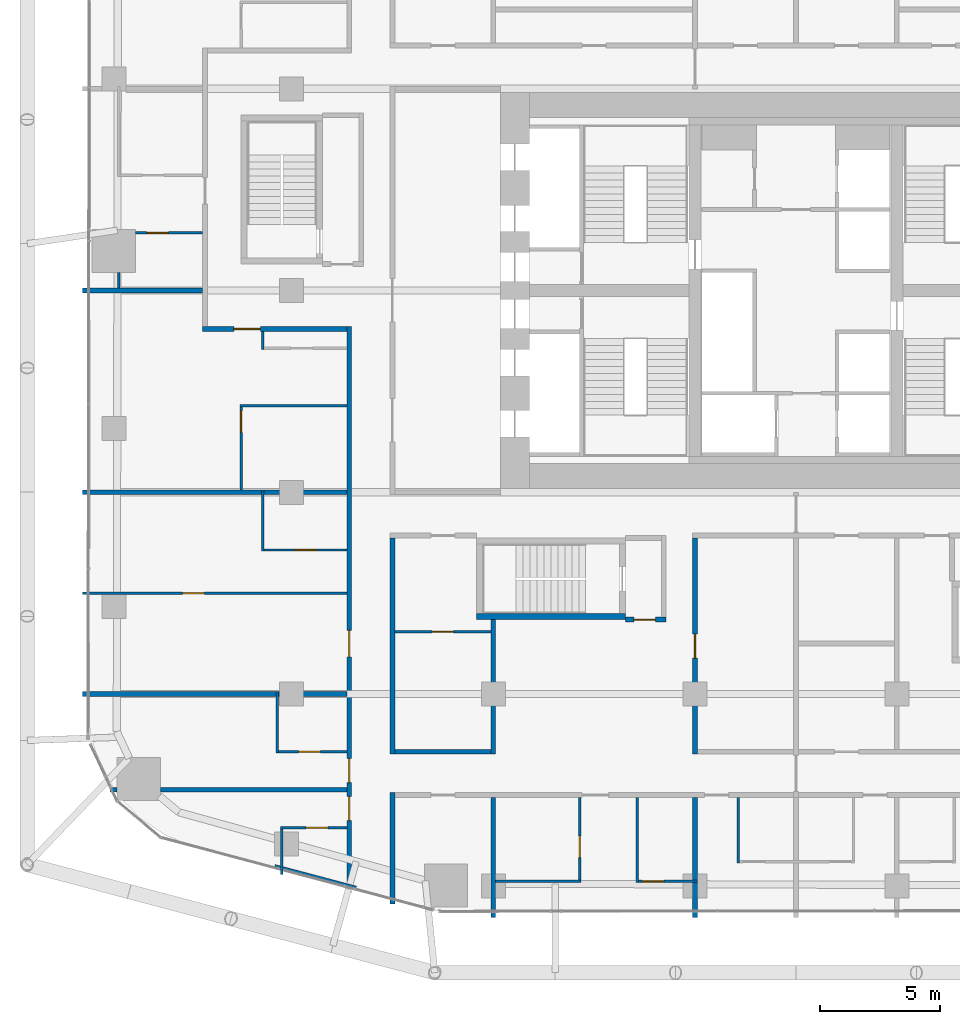
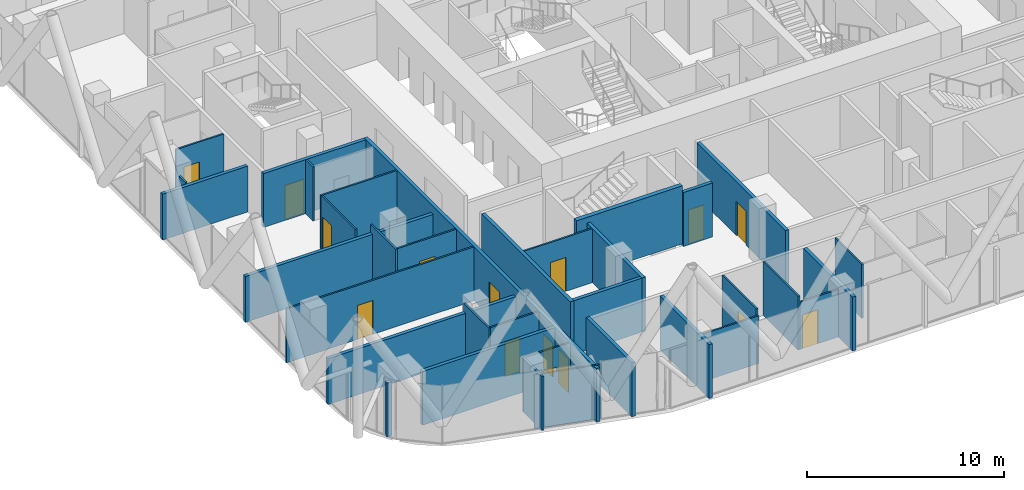
# One storey, part 28 of 38: 35 walls, 15 doors, 15 openings.
"""IFC4 building model written with IfcOpenShell, lengths in metres."""

from ifc_helpers import new_model, si_unit, direction, frame, frame_2d, origin, place, context, subcontext, project, spatial, rectangle, extrude, material, layer, layer_set, type_object, element, fill, save


model = new_model("IFC4")

# Units and contexts
model_context = context("Model", 3, precision=1e-05, world=origin(), true_north=direction((0.0, 1.0)))
body_context = subcontext(model_context, "Body", "Model", "MODEL_VIEW")
ifc_project = project(units=[si_unit("LENGTHUNIT", "METRE"), si_unit("AREAUNIT", "SQUARE_METRE"), si_unit("VOLUMEUNIT", "CUBIC_METRE"), si_unit("PLANEANGLEUNIT", "RADIAN"), si_unit("MASSUNIT", "GRAM", prefix="KILO")], contexts=[model_context])

# Site, building, storey
site_placement = place(None, origin())
site = spatial("IfcSite", under=ifc_project, at=site_placement, CompositionType="ELEMENT")
building_placement = place(site_placement, origin())
building = spatial("IfcBuilding", under=site, at=building_placement, Name="Marenta Gate Hotel Tower", CompositionType="ELEMENT")
storey_placement = place(building_placement, frame((0.0, 0.0, 68.89990234375)))
storey = spatial("IfcBuildingStorey", under=building, at=storey_placement, Name="L15", CompositionType="ELEMENT", Elevation=68.89990234375)

# Walls
ifc_material_1 = material(Name="Concrete C40", Category="concrete")
ifc_layer_1 = layer(ifc_material_1, 0.25)
ifc_layer_set_1 = layer_set([ifc_layer_1], Name="Concrete C40")
wall_type_1 = type_object("IfcWallType", Name="Remote stair enclosure wall 250 REI 180", PredefinedType="SHEAR", material=ifc_layer_set_1)
wall_1_placement = place(storey_placement, frame((-13.300048828125, -5.175048828125, 0.10009765625), z_axis=(0.0, 0.0, 1.0), x_axis=(1.0, 0.0, 0.0)))
element("IfcWall", 1, at=wall_1_placement, inside=storey, type_object=wall_type_1, Name="L15-RS-Z1-2-W1", PredefinedType="SHEAR", context=body_context, shape_type="SweptSolid", body=[
    extrude(rectangle(XDim=6.199951171875, YDim=0.25, at=frame_2d((3.10009765625, 0.0))), origin(), (0.0, 0.0, 1.0), 3.60009765625),
])
ifc_material_2 = material(Name="Gypsum board on steel stud", Category="steel")
ifc_layer_2 = layer(ifc_material_2, 0.199951171875)
ifc_layer_set_2 = layer_set([ifc_layer_2], Name="Gypsum board on steel stud")
wall_type_2 = type_object("IfcWallType", Name="Room corridor wall 200 EI 60", PredefinedType="PARTITIONING", material=ifc_layer_set_2)
wall_2_placement = place(storey_placement, frame((-16.699951171875, -10.800048828125, 0.0), z_axis=(0.0, 0.0, 1.0), x_axis=(1.0, 0.0, 0.0)))
element("IfcWall", 2, at=wall_2_placement, inside=storey, type_object=wall_type_2, Name="L15-PTN-W040", PredefinedType="PARTITIONING", context=body_context, shape_type="SweptSolid", body=[
    extrude(rectangle(XDim=4.0, YDim=0.199951171875, at=frame_2d((2.0, 0.0))), origin(), (0.0, 0.0, 1.0), 3.340087890625),
])

# Wall, opening, door
wall_3_placement = place(storey_placement, frame((-4.199951171875, -10.89990234375, 0.0), z_axis=(0.0, 0.0, 1.0), x_axis=(0.0, 1.0, 0.0)))
wall_3 = element("IfcWall", 3, at=wall_3_placement, inside=storey, type_object=wall_type_2, Name="L15-PTN-W083", PredefinedType="PARTITIONING", context=body_context, shape_type="SweptSolid", body=[
    extrude(rectangle(XDim=9.0, YDim=0.199951171875, at=frame_2d((4.5, 0.0))), origin(), (0.0, 0.0, 1.0), 3.340087890625),
])
opening_1_placement = place(wall_3_placement, frame((4.0, 0.0, 0.0)))
opening_1 = element("IfcOpeningElement", 4, at=opening_1_placement, cuts=wall_3, Name="Opening G05-78", PredefinedType="OPENING", context=body_context, shape_type="SweptSolid", body=[
    extrude(rectangle(XDim=1.0, YDim=2.10009765625, at=frame_2d((0.5, 1.050048828125))), frame((0.0, 0.10009765625, 0.0), z_axis=(0.0, -1.0, 0.0), x_axis=(1.0, 0.0, 0.0)), (0.0, 0.0, 1.0), 0.199951171875),
])
ifc_material_3 = material(Name="Timber door leaf", Category="wood")
door_type_1 = type_object("IfcDoorType", Name="Room amenity door 1000x2100 EI 30", OperationType="NOTDEFINED", PredefinedType="DOOR", material=ifc_material_3)
door_1_placement = place(opening_1_placement, origin())
door_1 = element("IfcDoor", 5, at=door_1_placement, inside=storey, type_object=door_type_1, Name="L15-PD-D078", OperationType="SINGLE_SWING_LEFT", OverallHeight=2.10009765625, OverallWidth=1.0, PredefinedType="DOOR", context=body_context, shape_type="SweptSolid", body=[
    extrude(rectangle(XDim=1.0, YDim=2.10009765625, at=frame_2d((0.5, 1.050048828125))), frame((0.0, 0.02490234375, 0.0), z_axis=(0.0, -1.0, 0.0), x_axis=(1.0, 0.0, 0.0)), (0.0, 0.0, 1.0), 0.050048828125),
])
fill(opening_1, door_1)

wall_4_placement = place(storey_placement, frame((-24.699951171875, 6.800048828125, 0.0), z_axis=(0.0, 0.0, 1.0), x_axis=(1.0, 0.0, 0.0)))
wall_4 = element("IfcWall", 6, at=wall_4_placement, inside=storey, type_object=wall_type_2, Name="L15-PTN-W089", PredefinedType="PARTITIONING", context=body_context, shape_type="SweptSolid", body=[
    extrude(rectangle(XDim=6.0, YDim=0.199951171875, at=frame_2d((3.0, 0.0))), origin(), (0.0, 0.0, 1.0), 3.340087890625),
])
opening_2_placement = place(wall_4_placement, frame((1.300048828125, 0.0, 0.0)))
opening_2 = element("IfcOpeningElement", 7, at=opening_2_placement, cuts=wall_4, Name="Opening G05-54", PredefinedType="OPENING", context=body_context, shape_type="SweptSolid", body=[
    extrude(rectangle(XDim=1.10009765625, YDim=2.10009765625, at=frame_2d((0.550048828125, 1.050048828125))), frame((0.0, 0.10009765625, 0.0), z_axis=(0.0, -1.0, 0.0), x_axis=(1.0, 0.0, 0.0)), (0.0, 0.0, 1.0), 0.199951171875),
])
ifc_material_4 = material(Name="Timber door leaf", Category="wood")
door_type_2 = type_object("IfcDoorType", Name="Guest room door 1100x2100 EI 30", OperationType="NOTDEFINED", PredefinedType="DOOR", material=ifc_material_4)
door_2_placement = place(opening_2_placement, origin())
door_2 = element("IfcDoor", 8, at=door_2_placement, inside=storey, type_object=door_type_2, Name="L15-PD-D054", OperationType="SINGLE_SWING_LEFT", OverallHeight=2.10009765625, OverallWidth=1.10009765625, PredefinedType="DOOR", context=body_context, shape_type="SweptSolid", body=[
    extrude(rectangle(XDim=1.10009765625, YDim=2.10009765625, at=frame_2d((0.550048828125, 1.050048828125))), frame((0.0, 0.02490234375, 0.0), z_axis=(0.0, -1.0, 0.0), x_axis=(1.0, 0.0, 0.0)), (0.0, 0.0, 1.0), 0.050048828125),
])
fill(opening_2, door_2)

# Walls
wall_5_placement = place(storey_placement, frame((-12.60009765625, -10.89990234375, 0.0), z_axis=(0.0, 0.0, 1.0), x_axis=(0.0, 1.0, 0.0)))
element("IfcWall", 9, at=wall_5_placement, inside=storey, type_object=wall_type_2, Name="L15-PTN-W100", PredefinedType="PARTITIONING", context=body_context, shape_type="SweptSolid", body=[
    extrude(rectangle(XDim=5.599853515625, YDim=0.199951171875, at=frame_2d((2.7998046875, 0.0))), origin(), (0.0, 0.0, 1.0), 3.340087890625),
])
wall_6_placement = place(storey_placement, frame((-16.800048828125, -17.14306640625, 0.0), z_axis=(0.0, 0.0, 1.0), x_axis=(0.0, 1.0, 0.0)))
element("IfcWall", 10, at=wall_6_placement, inside=storey, type_object=wall_type_2, Name="L15-PTN-W106", PredefinedType="PARTITIONING", context=body_context, shape_type="SweptSolid", body=[
    extrude(rectangle(XDim=4.64306640625, YDim=0.199951171875, at=frame_2d((2.321533203125, 0.0))), origin(), (0.0, 0.0, 1.0), 3.340087890625),
])
wall_7_placement = place(storey_placement, frame((-16.800048828125, -10.89990234375, 0.0), z_axis=(0.0, 0.0, 1.0), x_axis=(0.0, 1.0, 0.0)))
element("IfcWall", 11, at=wall_7_placement, inside=storey, type_object=wall_type_2, Name="L15-PTN-W107", PredefinedType="PARTITIONING", context=body_context, shape_type="SweptSolid", body=[
    extrude(rectangle(XDim=9.0, YDim=0.199951171875, at=frame_2d((4.5, 0.0))), origin(), (0.0, 0.0, 1.0), 3.340087890625),
])

# Wall, openings, doors
wall_8_placement = place(storey_placement, frame((-18.60009765625, -16.6650390625, 0.0), z_axis=(0.0, 0.0, 1.0), x_axis=(0.0, 1.0, 0.0)))
wall_8 = element("IfcWall", 12, at=wall_8_placement, inside=storey, type_object=wall_type_2, Name="L15-PTN-W115", PredefinedType="PARTITIONING", context=body_context, shape_type="SweptSolid", body=[
    extrude(rectangle(XDim=23.56494140625, YDim=0.199951171875, at=frame_2d((11.782470703125, 0.0))), origin(), (0.0, 0.0, 1.0), 3.340087890625),
])
opening_3_placement = place(wall_8_placement, frame((2.990966796875, 0.0, 0.0)))
opening_3 = element("IfcOpeningElement", 13, at=opening_3_placement, cuts=wall_8, Name="Opening G05-47", PredefinedType="OPENING", context=body_context, shape_type="SweptSolid", body=[
    extrude(rectangle(XDim=1.0, YDim=2.10009765625, at=frame_2d((0.5, 1.050048828125))), frame((0.0, 0.10009765625, 0.0), z_axis=(0.0, -1.0, 0.0), x_axis=(1.0, 0.0, 0.0)), (0.0, 0.0, 1.0), 0.199951171875),
])
opening_4_placement = place(wall_8_placement, frame((4.573974609375, 0.0, 0.0)))
opening_4 = element("IfcOpeningElement", 14, at=opening_4_placement, cuts=wall_8, Name="Opening G05-49", PredefinedType="OPENING", context=body_context, shape_type="SweptSolid", body=[
    extrude(rectangle(XDim=1.0, YDim=2.10009765625, at=frame_2d((0.5, 1.050048828125))), frame((0.0, 0.10009765625, 0.0), z_axis=(0.0, -1.0, 0.0), x_axis=(1.0, 0.0, 0.0)), (0.0, 0.0, 1.0), 0.199951171875),
])
opening_5_placement = place(wall_8_placement, frame((9.81494140625, 0.0, 0.0)))
opening_5 = element("IfcOpeningElement", 15, at=opening_5_placement, cuts=wall_8, Name="Opening G05-51", PredefinedType="OPENING", context=body_context, shape_type="SweptSolid", body=[
    extrude(rectangle(XDim=1.10009765625, YDim=2.10009765625, at=frame_2d((0.550048828125, 1.050048828125))), frame((0.0, 0.10009765625, 0.0), z_axis=(0.0, -1.0, 0.0), x_axis=(1.0, 0.0, 0.0)), (0.0, 0.0, 1.0), 0.199951171875),
])
ifc_material_5 = material(Name="Timber door leaf", Category="wood")
door_type_3 = type_object("IfcDoorType", Name="Guest room door 1000x2100 EI 30", OperationType="NOTDEFINED", PredefinedType="DOOR", material=ifc_material_5)
door_3_placement = place(opening_3_placement, origin())
door_3 = element("IfcDoor", 16, at=door_3_placement, inside=storey, type_object=door_type_3, Name="L15-PD-D047", OperationType="SINGLE_SWING_RIGHT", OverallHeight=2.10009765625, OverallWidth=1.0, PredefinedType="DOOR", context=body_context, shape_type="SweptSolid", body=[
    extrude(rectangle(XDim=1.0, YDim=2.10009765625, at=frame_2d((0.5, 1.050048828125))), frame((0.0, 0.02490234375, 0.0), z_axis=(0.0, -1.0, 0.0), x_axis=(1.0, 0.0, 0.0)), (0.0, 0.0, 1.0), 0.050048828125),
])
fill(opening_3, door_3)
door_4_placement = place(opening_4_placement, origin())
door_4 = element("IfcDoor", 17, at=door_4_placement, inside=storey, type_object=door_type_3, Name="L15-PD-D049", OperationType="SINGLE_SWING_RIGHT", OverallHeight=2.10009765625, OverallWidth=1.0, PredefinedType="DOOR", context=body_context, shape_type="SweptSolid", body=[
    extrude(rectangle(XDim=1.0, YDim=2.10009765625, at=frame_2d((0.5, 1.050048828125))), frame((0.0, 0.02490234375, 0.0), z_axis=(0.0, -1.0, 0.0), x_axis=(1.0, 0.0, 0.0)), (0.0, 0.0, 1.0), 0.050048828125),
])
fill(opening_4, door_4)
door_5_placement = place(opening_5_placement, origin())
door_5 = element("IfcDoor", 18, at=door_5_placement, inside=storey, type_object=door_type_2, Name="L15-PD-D051", OperationType="SINGLE_SWING_RIGHT", OverallHeight=2.10009765625, OverallWidth=1.10009765625, PredefinedType="DOOR", context=body_context, shape_type="SweptSolid", body=[
    extrude(rectangle(XDim=1.10009765625, YDim=2.10009765625, at=frame_2d((0.550048828125, 1.050048828125))), frame((0.0, 0.02490234375, 0.0), z_axis=(0.0, -1.0, 0.0), x_axis=(1.0, 0.0, 0.0)), (0.0, 0.0, 1.0), 0.050048828125),
])
fill(opening_5, door_5)

# Wall, opening, door
ifc_material_6 = material(Name="Concrete blockwork", Category="masonry")
ifc_layer_3 = layer(ifc_material_6, 0.199951171875)
ifc_layer_set_3 = layer_set([ifc_layer_3], Name="Concrete blockwork")
wall_type_3 = type_object("IfcWallType", Name="Room corridor wall 200 REI 180", PredefinedType="PARTITIONING", material=ifc_layer_set_3)
wall_9_placement = place(storey_placement, frame((-7.10009765625, -5.300048828125, 0.0), z_axis=(0.0, 0.0, 1.0), x_axis=(1.0, 0.0, 0.0)))
wall_9 = element("IfcWall", 19, at=wall_9_placement, inside=storey, type_object=wall_type_3, Name="L15-PTN-W055", PredefinedType="PARTITIONING", context=body_context, shape_type="SweptSolid", body=[
    extrude(rectangle(XDim=1.7001953125, YDim=0.199951171875, at=frame_2d((0.85009765625, 0.0))), origin(), (0.0, 0.0, 1.0), 3.340087890625),
])
opening_6_placement = place(wall_9_placement, frame((0.35009765625, 0.0, 0.0)))
opening_6 = element("IfcOpeningElement", 20, at=opening_6_placement, cuts=wall_9, Name="Opening G05-67", PredefinedType="OPENING", context=body_context, shape_type="SweptSolid", body=[
    extrude(rectangle(XDim=0.89990234375, YDim=2.10009765625, at=frame_2d((0.449951171875, 1.050048828125))), frame((0.0, 0.10009765625, 0.0), z_axis=(0.0, -1.0, 0.0), x_axis=(1.0, 0.0, 0.0)), (0.0, 0.0, 1.0), 0.199951171875),
])
ifc_material_7 = material(Name="Hollow steel door set", Category="steel")
door_type_4 = type_object("IfcDoorType", Name="Stair vestibule door 900x2100 EI 60", OperationType="NOTDEFINED", PredefinedType="DOOR", material=ifc_material_7)
door_6_placement = place(opening_6_placement, origin())
door_6 = element("IfcDoor", 21, at=door_6_placement, inside=storey, type_object=door_type_4, Name="L15-PD-D067", OperationType="SINGLE_SWING_RIGHT", OverallHeight=2.10009765625, OverallWidth=0.89990234375, PredefinedType="DOOR", context=body_context, shape_type="SweptSolid", body=[
    extrude(rectangle(XDim=0.89990234375, YDim=2.10009765625, at=frame_2d((0.449951171875, 1.050048828125))), frame((0.0, 0.02490234375, 0.0), z_axis=(0.0, -1.0, 0.0), x_axis=(1.0, 0.0, 0.0)), (0.0, 0.0, 1.0), 0.050048828125),
])
fill(opening_6, door_6)

# Walls
ifc_material_8 = material(Name="Gypsum board on steel stud", Category="steel")
ifc_layer_4 = layer(ifc_material_8, 0.10009765625)
ifc_layer_set_4 = layer_set([ifc_layer_4], Name="Gypsum board on steel stud")
wall_type_4 = type_object("IfcWallType", Name="Room partition 100", PredefinedType="PARTITIONING", material=ifc_layer_set_4)
wall_10_placement = place(storey_placement, frame((-21.68994140625, -15.544921875, 0.0), z_axis=(0.0, 0.0, 1.0), x_axis=(0.966542484633, -0.25650657964, 0.0)))
element("IfcWall", 22, at=wall_10_placement, inside=storey, type_object=wall_type_4, Name="L15-PTN-W012", PredefinedType="PARTITIONING", context=body_context, shape_type="SweptSolid", body=[
    extrude(rectangle(XDim=3.496826171875, YDim=0.10009765625, at=frame_2d((1.74853515625, 0.0))), origin(), (0.0, 0.0, 1.0), 3.340087890625),
])
wall_11_placement = place(storey_placement, frame((-12.5, -16.199951171875, 0.0), z_axis=(0.0, 0.0, 1.0), x_axis=(1.0, 0.0, 0.0)))
element("IfcWall", 23, at=wall_11_placement, inside=storey, type_object=wall_type_4, Name="L15-PTN-W019", PredefinedType="PARTITIONING", context=body_context, shape_type="SweptSolid", body=[
    extrude(rectangle(XDim=3.550048828125, YDim=0.10009765625, at=frame_2d((1.77490234375, 0.0))), origin(), (0.0, 0.0, 1.0), 2.940185546875),
])

# Wall, opening, door
wall_12_placement = place(storey_placement, frame((-6.550048828125, -16.199951171875, 0.0), z_axis=(0.0, 0.0, 1.0), x_axis=(1.0, 0.0, 0.0)))
wall_12 = element("IfcWall", 24, at=wall_12_placement, inside=storey, type_object=wall_type_4, Name="L15-PTN-W020", PredefinedType="PARTITIONING", context=body_context, shape_type="SweptSolid", body=[
    extrude(rectangle(XDim=2.449951171875, YDim=0.10009765625, at=frame_2d((1.22509765625, 0.0))), origin(), (0.0, 0.0, 1.0), 2.940185546875),
])
opening_7_placement = place(wall_12_placement, frame((0.14990234375, 0.0, 0.0)))
opening_7 = element("IfcOpeningElement", 25, at=opening_7_placement, cuts=wall_12, Name="Opening G05-38", PredefinedType="OPENING", context=body_context, shape_type="SweptSolid", body=[
    extrude(rectangle(XDim=0.89990234375, YDim=2.10009765625, at=frame_2d((0.449951171875, 1.050048828125))), frame((0.0, 0.050048828125, 0.0), z_axis=(0.0, -1.0, 0.0), x_axis=(1.0, 0.0, 0.0)), (0.0, 0.0, 1.0), 0.10009765625),
])
ifc_material_9 = material(Name="Timber door leaf", Category="wood")
door_type_5 = type_object("IfcDoorType", Name="Room inner door 900x2100", OperationType="NOTDEFINED", PredefinedType="DOOR", material=ifc_material_9)
door_7_placement = place(opening_7_placement, origin())
door_7 = element("IfcDoor", 26, at=door_7_placement, inside=storey, type_object=door_type_5, Name="L15-PD-D038", OperationType="SINGLE_SWING_LEFT", OverallHeight=2.10009765625, OverallWidth=0.89990234375, PredefinedType="DOOR", context=body_context, shape_type="SweptSolid", body=[
    extrude(rectangle(XDim=0.89990234375, YDim=2.10009765625, at=frame_2d((0.449951171875, 1.050048828125))), frame((0.0, 0.02490234375, 0.0), z_axis=(0.0, -1.0, 0.0), x_axis=(1.0, 0.0, 0.0)), (0.0, 0.0, 1.0), 0.050048828125),
])
fill(opening_7, door_7)

wall_13_placement = place(storey_placement, frame((-21.449951171875, -13.965087890625, 0.0), z_axis=(0.0, 0.0, 1.0), x_axis=(1.0, 0.0, 0.0)))
wall_13 = element("IfcWall", 27, at=wall_13_placement, inside=storey, type_object=wall_type_4, Name="L15-PTN-W029", PredefinedType="PARTITIONING", context=body_context, shape_type="SweptSolid", body=[
    extrude(rectangle(XDim=2.75, YDim=0.10009765625, at=frame_2d((1.375, 0.0))), origin(), (0.0, 0.0, 1.0), 3.340087890625),
])
opening_8_placement = place(wall_13_placement, frame((1.06005859375, 0.0, 0.0)))
opening_8 = element("IfcOpeningElement", 28, at=opening_8_placement, cuts=wall_13, Name="Opening G05-48", PredefinedType="OPENING", context=body_context, shape_type="SweptSolid", body=[
    extrude(rectangle(XDim=0.89990234375, YDim=2.10009765625, at=frame_2d((0.449951171875, 1.050048828125))), frame((0.0, 0.050048828125, 0.0), z_axis=(0.0, -1.0, 0.0), x_axis=(1.0, 0.0, 0.0)), (0.0, 0.0, 1.0), 0.10009765625),
])
ifc_material_10 = material(Name="Timber door leaf", Category="wood")
door_type_6 = type_object("IfcDoorType", Name="Guest bathroom door 900x2100", OperationType="NOTDEFINED", PredefinedType="DOOR", material=ifc_material_10)
door_8_placement = place(opening_8_placement, origin())
door_8 = element("IfcDoor", 29, at=door_8_placement, inside=storey, type_object=door_type_6, Name="L15-PD-D048", OperationType="SINGLE_SWING_RIGHT", OverallHeight=2.10009765625, OverallWidth=0.89990234375, PredefinedType="DOOR", context=body_context, shape_type="SweptSolid", body=[
    extrude(rectangle(XDim=0.89990234375, YDim=2.10009765625, at=frame_2d((0.449951171875, 1.050048828125))), frame((0.0, 0.02490234375, 0.0), z_axis=(0.0, -1.0, 0.0), x_axis=(1.0, 0.0, 0.0)), (0.0, 0.0, 1.0), 0.050048828125),
])
fill(opening_8, door_8)

wall_14_placement = place(storey_placement, frame((-21.550048828125, -10.800048828125, 0.0), z_axis=(0.0, 0.0, 1.0), x_axis=(1.0, 0.0, 0.0)))
wall_14 = element("IfcWall", 30, at=wall_14_placement, inside=storey, type_object=wall_type_4, Name="L15-PTN-W038", PredefinedType="PARTITIONING", context=body_context, shape_type="SweptSolid", body=[
    extrude(rectangle(XDim=2.85009765625, YDim=0.10009765625, at=frame_2d((1.425048828125, 0.0))), origin(), (0.0, 0.0, 1.0), 3.340087890625),
])
opening_9_placement = place(wall_14_placement, frame((0.85009765625, 0.0, 0.0)))
opening_9 = element("IfcOpeningElement", 31, at=opening_9_placement, cuts=wall_14, Name="Opening G05-50", PredefinedType="OPENING", context=body_context, shape_type="SweptSolid", body=[
    extrude(rectangle(XDim=0.89990234375, YDim=2.10009765625, at=frame_2d((0.449951171875, 1.050048828125))), frame((0.0, 0.050048828125, 0.0), z_axis=(0.0, -1.0, 0.0), x_axis=(1.0, 0.0, 0.0)), (0.0, 0.0, 1.0), 0.10009765625),
])
door_9_placement = place(opening_9_placement, origin())
door_9 = element("IfcDoor", 32, at=door_9_placement, inside=storey, type_object=door_type_6, Name="L15-PD-D050", OperationType="SINGLE_SWING_LEFT", OverallHeight=2.10009765625, OverallWidth=0.89990234375, PredefinedType="DOOR", context=body_context, shape_type="SweptSolid", body=[
    extrude(rectangle(XDim=0.89990234375, YDim=2.10009765625, at=frame_2d((0.449951171875, 1.050048828125))), frame((0.0, 0.02490234375, 0.0), z_axis=(0.0, -1.0, 0.0), x_axis=(1.0, 0.0, 0.0)), (0.0, 0.0, 1.0), 0.050048828125),
])
fill(opening_9, door_9)

wall_15_placement = place(storey_placement, frame((-16.699951171875, -5.800048828125, 0.0), z_axis=(0.0, 0.0, 1.0), x_axis=(1.0, 0.0, 0.0)))
wall_15 = element("IfcWall", 33, at=wall_15_placement, inside=storey, type_object=wall_type_4, Name="L15-PTN-W054", PredefinedType="PARTITIONING", context=body_context, shape_type="SweptSolid", body=[
    extrude(rectangle(XDim=4.0, YDim=0.10009765625, at=frame_2d((2.0, 0.0))), origin(), (0.0, 0.0, 1.0), 3.340087890625),
])
opening_10_placement = place(wall_15_placement, frame((1.550048828125, 0.0, 0.0)))
opening_10 = element("IfcOpeningElement", 34, at=opening_10_placement, cuts=wall_15, Name="Opening G05-03", PredefinedType="OPENING", context=body_context, shape_type="SweptSolid", body=[
    extrude(rectangle(XDim=0.89990234375, YDim=2.10009765625, at=frame_2d((0.449951171875, 1.050048828125))), frame((0.0, 0.050048828125, 0.0), z_axis=(0.0, -1.0, 0.0), x_axis=(1.0, 0.0, 0.0)), (0.0, 0.0, 1.0), 0.10009765625),
])
door_10_placement = place(opening_10_placement, origin())
door_10 = element("IfcDoor", 35, at=door_10_placement, inside=storey, type_object=door_type_5, Name="L15-PD-D003", OperationType="SINGLE_SWING_LEFT", OverallHeight=2.10009765625, OverallWidth=0.89990234375, PredefinedType="DOOR", context=body_context, shape_type="SweptSolid", body=[
    extrude(rectangle(XDim=0.89990234375, YDim=2.10009765625, at=frame_2d((0.449951171875, 1.050048828125))), frame((0.0, 0.02490234375, 0.0), z_axis=(0.0, -1.0, 0.0), x_axis=(1.0, 0.0, 0.0)), (0.0, 0.0, 1.0), 0.050048828125),
])
fill(opening_10, door_10)

wall_16_placement = place(storey_placement, frame((-29.699951171875, -4.199951171875, 0.0), z_axis=(0.0, 0.0, 1.0), x_axis=(1.0, 0.0, 0.0)))
wall_16 = element("IfcWall", 36, at=wall_16_placement, inside=storey, type_object=wall_type_4, Name="L15-PTN-W060", PredefinedType="PARTITIONING", context=body_context, shape_type="SweptSolid", body=[
    extrude(rectangle(XDim=11.0, YDim=0.10009765625, at=frame_2d((5.5, 0.0))), origin(), (0.0, 0.0, 1.0), 3.340087890625),
])
opening_11_placement = place(wall_16_placement, frame((4.169921875, 0.0, 0.0)))
opening_11 = element("IfcOpeningElement", 37, at=opening_11_placement, cuts=wall_16, Name="Opening G05-52", PredefinedType="OPENING", context=body_context, shape_type="SweptSolid", body=[
    extrude(rectangle(XDim=0.89990234375, YDim=2.10009765625, at=frame_2d((0.449951171875, 1.050048828125))), frame((0.0, 0.050048828125, 0.0), z_axis=(0.0, -1.0, 0.0), x_axis=(1.0, 0.0, 0.0)), (0.0, 0.0, 1.0), 0.10009765625),
])
door_11_placement = place(opening_11_placement, origin())
door_11 = element("IfcDoor", 38, at=door_11_placement, inside=storey, type_object=door_type_5, Name="L15-PD-D052", OperationType="SINGLE_SWING_LEFT", OverallHeight=2.10009765625, OverallWidth=0.89990234375, PredefinedType="DOOR", context=body_context, shape_type="SweptSolid", body=[
    extrude(rectangle(XDim=0.89990234375, YDim=2.10009765625, at=frame_2d((0.449951171875, 1.050048828125))), frame((0.0, 0.02490234375, 0.0), z_axis=(0.0, -1.0, 0.0), x_axis=(1.0, 0.0, 0.0)), (0.0, 0.0, 1.0), 0.050048828125),
])
fill(opening_11, door_11)

wall_17_placement = place(storey_placement, frame((-22.14990234375, -2.39990234375, 0.0), z_axis=(0.0, 0.0, 1.0), x_axis=(1.0, 0.0, 0.0)))
wall_17 = element("IfcWall", 39, at=wall_17_placement, inside=storey, type_object=wall_type_4, Name="L15-PTN-W064", PredefinedType="PARTITIONING", context=body_context, shape_type="SweptSolid", body=[
    extrude(rectangle(XDim=3.449951171875, YDim=0.10009765625, at=frame_2d((1.72509765625, 0.0))), origin(), (0.0, 0.0, 1.0), 3.340087890625),
])
opening_12_placement = place(wall_17_placement, frame((1.300048828125, 0.0, 0.0)))
opening_12 = element("IfcOpeningElement", 40, at=opening_12_placement, cuts=wall_17, Name="Opening G05-53", PredefinedType="OPENING", context=body_context, shape_type="SweptSolid", body=[
    extrude(rectangle(XDim=0.89990234375, YDim=2.10009765625, at=frame_2d((0.449951171875, 1.050048828125))), frame((0.0, 0.050048828125, 0.0), z_axis=(0.0, -1.0, 0.0), x_axis=(1.0, 0.0, 0.0)), (0.0, 0.0, 1.0), 0.10009765625),
])
door_12_placement = place(opening_12_placement, origin())
door_12 = element("IfcDoor", 41, at=door_12_placement, inside=storey, type_object=door_type_6, Name="L15-PD-D053", OperationType="SINGLE_SWING_RIGHT", OverallHeight=2.10009765625, OverallWidth=0.89990234375, PredefinedType="DOOR", context=body_context, shape_type="SweptSolid", body=[
    extrude(rectangle(XDim=0.89990234375, YDim=2.10009765625, at=frame_2d((0.449951171875, 1.050048828125))), frame((0.0, 0.02490234375, 0.0), z_axis=(0.0, -1.0, 0.0), x_axis=(1.0, 0.0, 0.0)), (0.0, 0.0, 1.0), 0.050048828125),
])
fill(opening_12, door_12)

# Walls
wall_18_placement = place(storey_placement, frame((-2.39990234375, -15.425048828125, 0.0), z_axis=(0.0, 0.0, 1.0), x_axis=(0.0, 1.0, 0.0)))
element("IfcWall", 42, at=wall_18_placement, inside=storey, type_object=wall_type_4, Name="L15-PTN-W077", PredefinedType="PARTITIONING", context=body_context, shape_type="SweptSolid", body=[
    extrude(rectangle(XDim=2.72509765625, YDim=0.10009765625, at=frame_2d((1.362548828125, 0.0))), origin(), (0.0, 0.0, 1.0), 3.340087890625),
])
wall_19_placement = place(storey_placement, frame((-23.14990234375, 3.60009765625, 0.0), z_axis=(0.0, 0.0, 1.0), x_axis=(1.0, 0.0, 0.0)))
element("IfcWall", 43, at=wall_19_placement, inside=storey, type_object=wall_type_4, Name="L15-PTN-W078", PredefinedType="PARTITIONING", context=body_context, shape_type="SweptSolid", body=[
    extrude(rectangle(XDim=4.449951171875, YDim=0.10009765625, at=frame_2d((2.22509765625, 0.0))), origin(), (0.0, 0.0, 1.0), 3.340087890625),
])
wall_20_placement = place(storey_placement, frame((-6.60009765625, -16.25, 0.0), z_axis=(0.0, 0.0, 1.0), x_axis=(0.0, 1.0, 0.0)))
element("IfcWall", 44, at=wall_20_placement, inside=storey, type_object=wall_type_4, Name="L15-PTN-W087", PredefinedType="PARTITIONING", context=body_context, shape_type="SweptSolid", body=[
    extrude(rectangle(XDim=3.550048828125, YDim=0.10009765625, at=frame_2d((1.77490234375, 0.0))), origin(), (0.0, 0.0, 1.0), 3.340087890625),
])

# Wall, opening, door
wall_21_placement = place(storey_placement, frame((-9.0, -16.14990234375, 0.0), z_axis=(0.0, 0.0, 1.0), x_axis=(0.0, 1.0, 0.0)))
wall_21 = element("IfcWall", 45, at=wall_21_placement, inside=storey, type_object=wall_type_4, Name="L15-PTN-W093", PredefinedType="PARTITIONING", context=body_context, shape_type="SweptSolid", body=[
    extrude(rectangle(XDim=3.449951171875, YDim=0.10009765625, at=frame_2d((1.72509765625, 0.0))), origin(), (0.0, 0.0, 1.0), 3.340087890625),
])
opening_13_placement = place(wall_21_placement, frame((0.93994140625, 0.0, 0.0)))
opening_13 = element("IfcOpeningElement", 46, at=opening_13_placement, cuts=wall_21, Name="Opening G05-37", PredefinedType="OPENING", context=body_context, shape_type="SweptSolid", body=[
    extrude(rectangle(XDim=0.89990234375, YDim=2.10009765625, at=frame_2d((0.449951171875, 1.050048828125))), frame((0.0, 0.050048828125, 0.0), z_axis=(0.0, -1.0, 0.0), x_axis=(1.0, 0.0, 0.0)), (0.0, 0.0, 1.0), 0.10009765625),
])
door_13_placement = place(opening_13_placement, origin())
door_13 = element("IfcDoor", 47, at=door_13_placement, inside=storey, type_object=door_type_6, Name="L15-PD-D037", OperationType="SINGLE_SWING_LEFT", OverallHeight=2.10009765625, OverallWidth=0.89990234375, PredefinedType="DOOR", context=body_context, shape_type="SweptSolid", body=[
    extrude(rectangle(XDim=0.89990234375, YDim=2.10009765625, at=frame_2d((0.449951171875, 1.050048828125))), frame((0.0, 0.02490234375, 0.0), z_axis=(0.0, -1.0, 0.0), x_axis=(1.0, 0.0, 0.0)), (0.0, 0.0, 1.0), 0.050048828125),
])
fill(opening_13, door_13)

wall_22_placement = place(storey_placement, frame((-27.5, 10.800048828125, 0.0), z_axis=(0.0, 0.0, 1.0), x_axis=(1.0, 0.0, 0.0)))
wall_22 = element("IfcWall", 48, at=wall_22_placement, inside=storey, type_object=wall_type_4, Name="L15-PTN-W096", PredefinedType="PARTITIONING", context=body_context, shape_type="SweptSolid", body=[
    extrude(rectangle(XDim=2.800048828125, YDim=0.10009765625, at=frame_2d((1.39990234375, 0.0))), origin(), (0.0, 0.0, 1.0), 3.340087890625),
])
opening_14_placement = place(wall_22_placement, frame((0.469970703125, 0.0, 0.0)))
opening_14 = element("IfcOpeningElement", 49, at=opening_14_placement, cuts=wall_22, Name="Opening G05-59", PredefinedType="OPENING", context=body_context, shape_type="SweptSolid", body=[
    extrude(rectangle(XDim=0.89990234375, YDim=2.10009765625, at=frame_2d((0.449951171875, 1.050048828125))), frame((0.0, 0.050048828125, 0.0), z_axis=(0.0, -1.0, 0.0), x_axis=(1.0, 0.0, 0.0)), (0.0, 0.0, 1.0), 0.10009765625),
])
door_14_placement = place(opening_14_placement, origin())
door_14 = element("IfcDoor", 50, at=door_14_placement, inside=storey, type_object=door_type_5, Name="L15-PD-D059", OperationType="SINGLE_SWING_RIGHT", OverallHeight=2.10009765625, OverallWidth=0.89990234375, PredefinedType="DOOR", context=body_context, shape_type="SweptSolid", body=[
    extrude(rectangle(XDim=0.89990234375, YDim=2.10009765625, at=frame_2d((0.449951171875, 1.050048828125))), frame((0.0, 0.02490234375, 0.0), z_axis=(0.0, -1.0, 0.0), x_axis=(1.0, 0.0, 0.0)), (0.0, 0.0, 1.0), 0.050048828125),
])
fill(opening_14, door_14)

# Walls
wall_23_placement = place(storey_placement, frame((-21.39990234375, -15.922119140625, 0.0), z_axis=(0.0, 0.0, 1.0), x_axis=(0.0, 1.0, 0.0)))
element("IfcWall", 51, at=wall_23_placement, inside=storey, type_object=wall_type_4, Name="L15-PTN-W125", PredefinedType="PARTITIONING", context=body_context, shape_type="SweptSolid", body=[
    extrude(rectangle(XDim=1.9072265625, YDim=0.10009765625, at=frame_2d((0.95361328125, 0.0))), origin(), (0.0, 0.0, 1.0), 3.340087890625),
])
for number, where, z_axis, x_axis, name in (
    (52, (-21.60009765625, -10.85009765625, 0.0), (0.0, 0.0, 1.0), (0.0, 1.0, 0.0), "L15-PTN-W126"),
    (53, (-22.199951171875, -2.449951171875, 0.0), (0.0, 0.0, 1.0), (0.0, 1.0, 0.0), "L15-PTN-W129"),
):
    element("IfcWall", number, at=place(storey_placement, frame(where, z_axis=z_axis, x_axis=x_axis)), inside=storey, type_object=wall_type_4, Name=name, PredefinedType="PARTITIONING", context=body_context, shape_type="SweptSolid", body=[
        extrude(rectangle(XDim=2.550048828125, YDim=0.10009765625, at=frame_2d((1.27490234375, 0.0))), origin(), (0.0, 0.0, 1.0), 3.340087890625),
    ])
wall_24_placement = place(storey_placement, frame((-22.199951171875, 5.949951171875, 0.0), z_axis=(0.0, 0.0, 1.0), x_axis=(0.0, 1.0, 0.0)))
element("IfcWall", 54, at=wall_24_placement, inside=storey, type_object=wall_type_4, Name="L15-PTN-W130", PredefinedType="PARTITIONING", context=body_context, shape_type="SweptSolid", body=[
    extrude(rectangle(XDim=0.75, YDim=0.10009765625, at=frame_2d((0.375, 0.0))), origin(), (0.0, 0.0, 1.0), 3.340087890625),
])

# Wall, opening, door
wall_25_placement = place(storey_placement, frame((-23.10009765625, 0.10009765625, 0.0), z_axis=(0.0, 0.0, 1.0), x_axis=(0.0, 1.0, 0.0)))
wall_25 = element("IfcWall", 55, at=wall_25_placement, inside=storey, type_object=wall_type_4, Name="L15-PTN-W135", PredefinedType="PARTITIONING", context=body_context, shape_type="SweptSolid", body=[
    extrude(rectangle(XDim=3.449951171875, YDim=0.10009765625, at=frame_2d((1.72509765625, 0.0))), origin(), (0.0, 0.0, 1.0), 3.340087890625),
])
opening_15_placement = place(wall_25_placement, frame((2.39990234375, 0.0, 0.0)))
opening_15 = element("IfcOpeningElement", 56, at=opening_15_placement, cuts=wall_25, Name="Opening G05-55", PredefinedType="OPENING", context=body_context, shape_type="SweptSolid", body=[
    extrude(rectangle(XDim=0.89990234375, YDim=2.10009765625, at=frame_2d((0.449951171875, 1.050048828125))), frame((0.0, 0.050048828125, 0.0), z_axis=(0.0, -1.0, 0.0), x_axis=(1.0, 0.0, 0.0)), (0.0, 0.0, 1.0), 0.10009765625),
])
door_15_placement = place(opening_15_placement, origin())
door_15 = element("IfcDoor", 57, at=door_15_placement, inside=storey, type_object=door_type_6, Name="L15-PD-D055", OperationType="SINGLE_SWING_LEFT", OverallHeight=2.10009765625, OverallWidth=0.89990234375, PredefinedType="DOOR", context=body_context, shape_type="SweptSolid", body=[
    extrude(rectangle(XDim=0.89990234375, YDim=2.10009765625, at=frame_2d((0.449951171875, 1.050048828125))), frame((0.0, 0.02490234375, 0.0), z_axis=(0.0, -1.0, 0.0), x_axis=(1.0, 0.0, 0.0)), (0.0, 0.0, 1.0), 0.050048828125),
])
fill(opening_15, door_15)

# Walls
wall_26_placement = place(storey_placement, frame((-28.199951171875, 8.5, 0.0), z_axis=(0.0, 0.0, 1.0), x_axis=(0.0, 1.0, 0.0)))
element("IfcWall", 58, at=wall_26_placement, inside=storey, type_object=wall_type_4, Name="L15-PTN-W149", PredefinedType="PARTITIONING", context=body_context, shape_type="SweptSolid", body=[
    extrude(rectangle(XDim=0.64990234375, YDim=0.10009765625, at=frame_2d((0.324951171875, 0.0))), origin(), (0.0, 0.0, 1.0), 2.940185546875),
])
ifc_material_11 = material(Name="Gypsum board on steel stud", Category="steel")
ifc_layer_5 = layer(ifc_material_11, 0.199951171875)
ifc_layer_set_5 = layer_set([ifc_layer_5], Name="Gypsum board on steel stud")
wall_type_5 = type_object("IfcWallType", Name="Room party wall 200 EI 60", PredefinedType="PARTITIONING", material=ifc_layer_set_5)
wall_27_placement = place(storey_placement, frame((-28.552978515625, -12.383056640625, 0.0), z_axis=(0.0, 0.0, 1.0), x_axis=(1.0, 0.0, 0.0)))
element("IfcWall", 59, at=wall_27_placement, inside=storey, type_object=wall_type_5, Name="L15-PTN-W035", PredefinedType="PARTITIONING", context=body_context, shape_type="SweptSolid", body=[
    extrude(rectangle(XDim=0.2900390625, YDim=0.199951171875, at=frame_2d((0.14501953125, 0.0))), origin(), (0.0, 0.0, 1.0), 3.340087890625),
])
wall_28_placement = place(storey_placement, frame((-26.462890625, -12.383056640625, 0.0), z_axis=(0.0, 0.0, 1.0), x_axis=(1.0, 0.0, 0.0)))
element("IfcWall", 60, at=wall_28_placement, inside=storey, type_object=wall_type_5, Name="L15-PTN-W155", PredefinedType="PARTITIONING", context=body_context, shape_type="SweptSolid", body=[
    extrude(rectangle(XDim=7.762939453125, YDim=0.199951171875, at=frame_2d((3.88134765625, 0.0))), origin(), (0.0, 0.0, 1.0), 3.340087890625),
])
for number, where, z_axis, x_axis, name in (
    (61, (-29.699951171875, -8.39990234375, 0.0), (0.0, 0.0, 1.0), (1.0, 0.0, 0.0), "L15-PTN-W045"),
    (62, (-29.699951171875, 0.0, 0.0), (0.0, 0.0, 1.0), (1.0, 0.0, 0.0), "L15-PTN-W074"),
):
    element("IfcWall", number, at=place(storey_placement, frame(where, z_axis=z_axis, x_axis=x_axis)), inside=storey, type_object=wall_type_5, Name=name, PredefinedType="PARTITIONING", context=body_context, shape_type="SweptSolid", body=[
        extrude(rectangle(XDim=11.0, YDim=0.199951171875, at=frame_2d((5.5, 0.0))), origin(), (0.0, 0.0, 1.0), 2.840087890625),
    ])
wall_29_placement = place(storey_placement, frame((-4.199951171875, -17.699951171875, 0.0), z_axis=(0.0, 0.0, 1.0), x_axis=(0.0, 1.0, 0.0)))
element("IfcWall", 63, at=wall_29_placement, inside=storey, type_object=wall_type_5, Name="L15-PTN-W080", PredefinedType="PARTITIONING", context=body_context, shape_type="SweptSolid", body=[
    extrude(rectangle(XDim=5.0, YDim=0.199951171875, at=frame_2d((2.5, 0.0))), origin(), (0.0, 0.0, 1.0), 3.340087890625),
])
wall_30_placement = place(storey_placement, frame((-29.699951171875, 8.39990234375, 0.0), z_axis=(0.0, 0.0, 1.0), x_axis=(1.0, 0.0, 0.0)))
element("IfcWall", 64, at=wall_30_placement, inside=storey, type_object=wall_type_5, Name="L15-PTN-W091", PredefinedType="PARTITIONING", context=body_context, shape_type="SweptSolid", body=[
    extrude(rectangle(XDim=5.0, YDim=0.199951171875, at=frame_2d((2.5, 0.0))), origin(), (0.0, 0.0, 1.0), 2.840087890625),
])
wall_31_placement = place(storey_placement, frame((-12.60009765625, -17.699951171875, 0.0), z_axis=(0.0, 0.0, 1.0), x_axis=(0.0, 1.0, 0.0)))
element("IfcWall", 65, at=wall_31_placement, inside=storey, type_object=wall_type_5, Name="L15-PTN-W097", PredefinedType="PARTITIONING", context=body_context, shape_type="SweptSolid", body=[
    extrude(rectangle(XDim=5.0, YDim=0.199951171875, at=frame_2d((2.5, 0.0))), origin(), (0.0, 0.0, 1.0), 3.340087890625),
])

save(model, "model.ifc")
